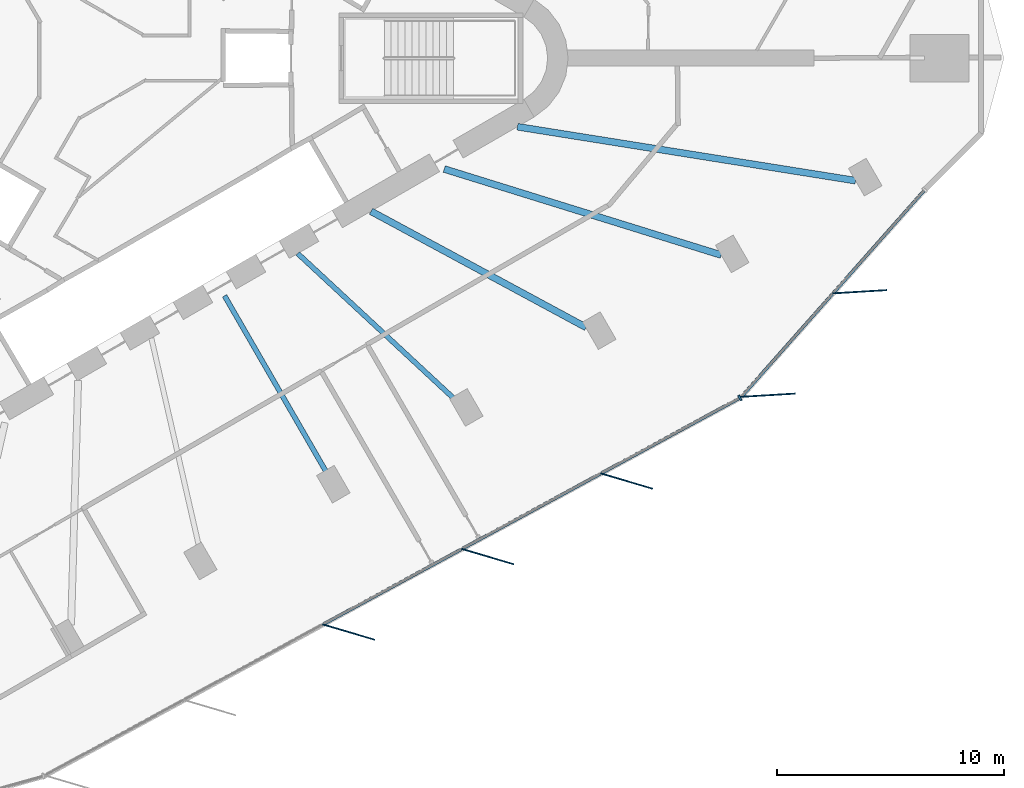
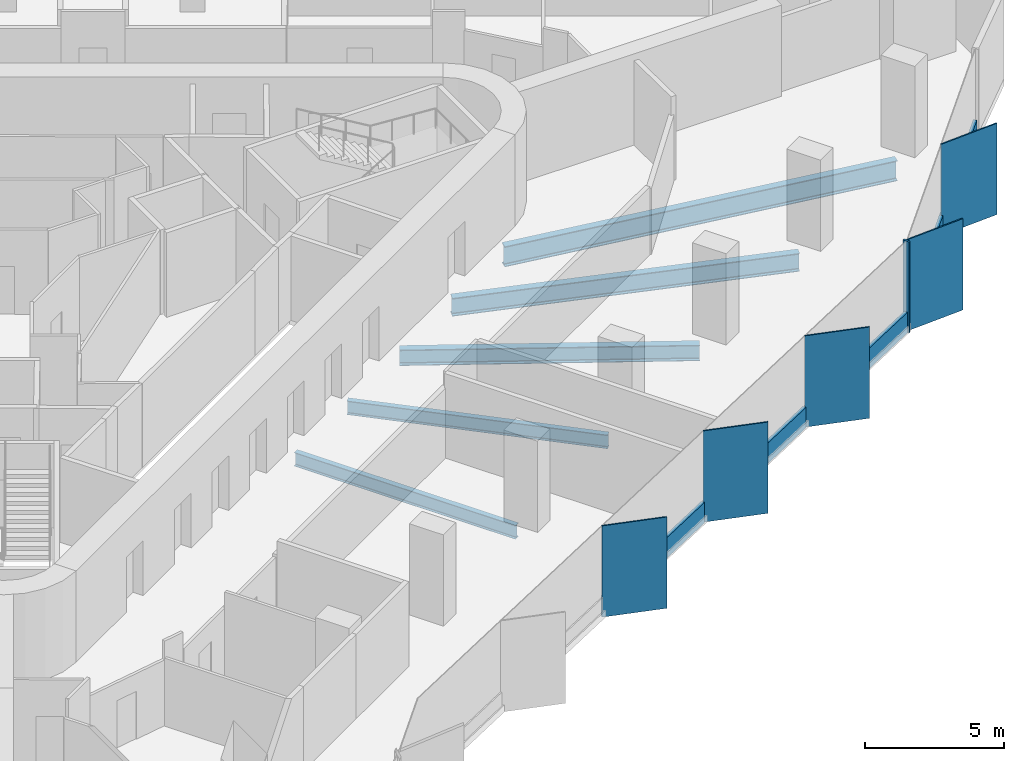
# One storey, part 3 of 14: 11 members, 5 beams, 2 elements without a shape of their own.
"""IFC4 building model written with IfcOpenShell, lengths in metres."""

from ifc_helpers import new_model, si_unit, direction, frame, origin, origin_2d, place, context, subcontext, project, spatial, rectangle, i_section, extrude, material, material_profile, profile_set, type_object, element, aggregate, save


model = new_model("IFC4")

# Units and contexts
model_context = context("Model", 3, precision=1e-05, world=origin(), true_north=direction((0.0, 1.0)))
body_context = subcontext(model_context, "Body", "Model", "MODEL_VIEW")
ifc_project = project(units=[si_unit("LENGTHUNIT", "METRE"), si_unit("AREAUNIT", "SQUARE_METRE"), si_unit("VOLUMEUNIT", "CUBIC_METRE"), si_unit("PLANEANGLEUNIT", "RADIAN"), si_unit("MASSUNIT", "GRAM", prefix="KILO")], contexts=[model_context])

# Site, building, storey
site_placement = place(None, origin())
site = spatial("IfcSite", under=ifc_project, at=site_placement, CompositionType="ELEMENT")
building_placement = place(site_placement, origin())
building = spatial("IfcBuilding", under=site, at=building_placement, Name="Tanit Gate Tower", CompositionType="ELEMENT")
storey_placement = place(building_placement, frame((0.0, 0.0, 241.199951171875)))
storey = spatial("IfcBuildingStorey", under=building, at=storey_placement, Name="L54", CompositionType="ELEMENT", Elevation=241.199951171875)

# Curtain wall, members
ifc_material_1 = material(Name="Aluminium bronze anodised and glass", Category="aluminium")
curtain_wall_type = type_object("IfcCurtainWallType", Name="Curtain wall typical mid", PredefinedType="NOTDEFINED", material=ifc_material_1)
curtain_wall_1_placement = place(storey_placement, origin())
curtain_wall_1 = element("IfcCurtainWall", 1, at=curtain_wall_1_placement, inside=storey, type_object=curtain_wall_type, Name="Curtain wall L54 SE2", PredefinedType="NOTDEFINED")
ifc_material_2 = material(Name="Aluminium bronze anodised", Category="aluminium")
ifc_material_profile_1 = material_profile(ifc_material_2, rectangle(XDim=2.39990234375, YDim=0.055908203125, at=origin_2d()), Name="56x2400 bronze fin mullion")
ifc_profile_set_1 = profile_set([ifc_material_profile_1], Name="Aluminium bronze anodised")
member_type_1 = type_object("IfcMemberType", Name="FIN MULLION 56x2400 bronze", PredefinedType="MULLION", material=ifc_profile_set_1)
member_1_placement = place(storey_placement, frame((11.52099609375, -25.304931640625, -0.300048828125), z_axis=(0.0, 0.0, 1.0), x_axis=(-0.958891574692, 0.28377270479, 0.0)))
member_1 = element("IfcMember", 2, at=member_1_placement, type_object=member_type_1, Name="Fin mullion L54 SE2.3", PredefinedType="MULLION", context=body_context, shape_type="SweptSolid", body=[
    extrude(rectangle(XDim=2.39990234375, YDim=0.055908203125, at=origin_2d()), origin(), (0.0, 0.0, 1.0), 4.0),
])
member_2_placement = place(storey_placement, frame((17.649169921875, -21.9755859375, -0.300048828125), z_axis=(0.0, 0.0, 1.0), x_axis=(-0.958891574692, 0.28377270479, 0.0)))
member_2 = element("IfcMember", 3, at=member_2_placement, type_object=member_type_1, Name="Fin mullion L54 SE2.4", PredefinedType="MULLION", context=body_context, shape_type="SweptSolid", body=[
    extrude(rectangle(XDim=2.39990234375, YDim=0.055908203125, at=origin_2d()), origin(), (0.0, 0.0, 1.0), 4.0),
])
member_3_placement = place(storey_placement, frame((23.77734375, -18.646240234375, -0.300048828125), z_axis=(0.0, 0.0, 1.0), x_axis=(-0.958891574692, 0.28377270479, 0.0)))
member_3 = element("IfcMember", 4, at=member_3_placement, type_object=member_type_1, Name="Fin mullion L54 SE2.5", PredefinedType="MULLION", context=body_context, shape_type="SweptSolid", body=[
    extrude(rectangle(XDim=2.39990234375, YDim=0.055908203125, at=origin_2d()), origin(), (0.0, 0.0, 1.0), 4.0),
])

curtain_wall_2_placement = place(storey_placement, origin())
curtain_wall_2 = element("IfcCurtainWall", 5, at=curtain_wall_2_placement, inside=storey, type_object=curtain_wall_type, Name="Curtain wall L54 SE3", PredefinedType="NOTDEFINED")
member_4_placement = place(storey_placement, frame((30.013427734375, -14.8623046875, -0.300048828125), z_axis=(0.0, 0.0, 1.0), x_axis=(-0.998180025714, -0.060304529394, 0.0)))
member_4 = element("IfcMember", 6, at=member_4_placement, type_object=member_type_1, Name="Fin mullion L54 SE3.1", PredefinedType="MULLION", context=body_context, shape_type="SweptSolid", body=[
    extrude(rectangle(XDim=2.39990234375, YDim=0.055908203125, at=origin_2d()), origin(), (0.0, 0.0, 1.0), 4.0),
])
member_5_placement = place(storey_placement, frame((34.05615234375, -10.299560546875, -0.300048828125), z_axis=(0.0, 0.0, 1.0), x_axis=(-0.998180025714, -0.060304529394, 0.0)))
member_5 = element("IfcMember", 7, at=member_5_placement, type_object=member_type_1, Name="Fin mullion L54 SE3.2", PredefinedType="MULLION", context=body_context, shape_type="SweptSolid", body=[
    extrude(rectangle(XDim=2.39990234375, YDim=0.055908203125, at=origin_2d()), origin(), (0.0, 0.0, 1.0), 4.0),
])

# Member
ifc_material_3 = material(Name="Aluminium bronze anodised", Category="aluminium")
ifc_material_profile_2 = material_profile(ifc_material_3, rectangle(XDim=0.260009765625, YDim=0.080078125, at=origin_2d()), Name="80x260 bronze mullion")
ifc_profile_set_2 = profile_set([ifc_material_profile_2], Name="Aluminium bronze anodised")
member_type_2 = type_object("IfcMemberType", Name="Mullion 80x260 typical mid", PredefinedType="MULLION", material=ifc_profile_set_2)
member_6_placement = place(storey_placement, frame((28.775146484375, -14.982421875, -0.300048828125), z_axis=(0.0, 0.0, 1.0), x_axis=(-0.477381131015, 0.87869633876, 0.0)))
member_6 = element("IfcMember", 8, at=member_6_placement, type_object=member_type_2, Name="Mullion L54 SE2.6", PredefinedType="MULLION", context=body_context, shape_type="SweptSolid", body=[
    extrude(rectangle(XDim=0.260009765625, YDim=0.080078125, at=origin_2d()), origin(), (0.0, 0.0, 1.0), 4.0),
])

# Beams
ifc_material_4 = material(Name="Steel S355", Category="steel")
ifc_material_profile_3 = material_profile(ifc_material_4, i_section(OverallWidth=0.300048828125, OverallDepth=0.68994140625, WebThickness=0.014404296875, FlangeThickness=0.027099609375, FilletRadius=0.027099609375, at=origin_2d()), Name="HEA 700")
ifc_profile_set_3 = profile_set([ifc_material_profile_3], Name="Steel S355")
beam_type_1 = type_object("IfcBeamType", Name="RADIAL GIRDER HEA 700 S355", PredefinedType="BEAM", material=ifc_profile_set_3)
beam_1_placement = place(storey_placement, frame((21.993896484375, -11.873046875, -0.64501953125), z_axis=(-0.879968075352, 0.475032826614, 0.0), x_axis=(-0.475032826614, -0.879968075352, 0.0)))
element("IfcBeam", 9, at=beam_1_placement, inside=storey, type_object=beam_type_1, Name="RADIAL GIRDER", PredefinedType="BEAM", context=body_context, shape_type="SweptSolid", body=[
    extrude(i_section(OverallWidth=0.300048828125, OverallDepth=0.68994140625, WebThickness=0.014404296875, FlangeThickness=0.027099609375, FilletRadius=0.027099609375, at=origin_2d()), origin(), (0.0, 0.0, 1.0), 10.779541015625),
])
ifc_material_5 = material(Name="Steel S355", Category="steel")
ifc_material_profile_4 = material_profile(ifc_material_5, i_section(OverallWidth=0.300048828125, OverallDepth=0.7900390625, WebThickness=0.014892578125, FlangeThickness=0.028076171875, FilletRadius=0.030029296875, at=origin_2d()), Name="HEA 800")
ifc_profile_set_4 = profile_set([ifc_material_profile_4], Name="Steel S355")
beam_type_2 = type_object("IfcBeamType", Name="RADIAL GIRDER HEA 800 S355", PredefinedType="BEAM", material=ifc_profile_set_4)
beam_2_placement = place(storey_placement, frame((27.947998046875, -8.681396484375, -0.695068359375), z_axis=(-0.954989554266, 0.296639429684, 0.0), x_axis=(-0.296639429684, -0.954989554266, 0.0)))
element("IfcBeam", 10, at=beam_2_placement, inside=storey, type_object=beam_type_2, Name="RADIAL GIRDER", PredefinedType="BEAM", context=body_context, shape_type="SweptSolid", body=[
    extrude(i_section(OverallWidth=0.300048828125, OverallDepth=0.7900390625, WebThickness=0.014892578125, FlangeThickness=0.028076171875, FilletRadius=0.030029296875, at=origin_2d()), origin(), (0.0, 0.0, 1.0), 12.786376953125),
])
ifc_material_6 = material(Name="Steel S355", Category="steel")
ifc_material_profile_5 = material_profile(ifc_material_6, i_section(OverallWidth=0.300048828125, OverallDepth=0.889892578125, WebThickness=0.01611328125, FlangeThickness=0.030029296875, FilletRadius=0.030029296875, at=origin_2d()), Name="HEA 900")
ifc_profile_set_5 = profile_set([ifc_material_profile_5], Name="Steel S355")
beam_type_3 = type_object("IfcBeamType", Name="RADIAL GIRDER HEA 900 S355", PredefinedType="BEAM", material=ifc_profile_set_5)
beam_3_placement = place(storey_placement, frame((33.872802734375, -5.4013671875, -0.744873046875), z_axis=(-0.987524864709, 0.157463143563, 0.0), x_axis=(-0.157463143563, -0.987524864709, 0.0)))
element("IfcBeam", 11, at=beam_3_placement, inside=storey, type_object=beam_type_3, Name="RADIAL GIRDER", PredefinedType="BEAM", context=body_context, shape_type="SweptSolid", body=[
    extrude(i_section(OverallWidth=0.300048828125, OverallDepth=0.889892578125, WebThickness=0.01611328125, FlangeThickness=0.030029296875, FilletRadius=0.030029296875, at=origin_2d()), origin(), (0.0, 0.0, 1.0), 15.09521484375),
])
ifc_material_7 = material(Name="Steel S355", Category="steel")
ifc_material_profile_6 = material_profile(ifc_material_7, i_section(OverallWidth=0.219970703125, OverallDepth=0.60009765625, WebThickness=0.011962890625, FlangeThickness=0.01904296875, FilletRadius=0.02392578125, at=origin_2d()), Name="IPE 600")
ifc_profile_set_6 = profile_set([ifc_material_profile_6], Name="Steel S355")
beam_type_4 = type_object("IfcBeamType", Name="RADIAL GIRDER IPE 600 S355", PredefinedType="BEAM", material=ifc_profile_set_6)
beam_4_placement = place(storey_placement, frame((10.6396484375, -18.428466796875, -0.599853515625), z_axis=(-0.499998789643, 0.866026102583, 0.0), x_axis=(-0.866026102583, -0.499998789643, 0.0)))
element("IfcBeam", 12, at=beam_4_placement, inside=storey, type_object=beam_type_4, Name="RADIAL GIRDER", PredefinedType="BEAM", context=body_context, shape_type="SweptSolid", body=[
    extrude(i_section(OverallWidth=0.219970703125, OverallDepth=0.60009765625, WebThickness=0.011962890625, FlangeThickness=0.01904296875, FilletRadius=0.02392578125, at=origin_2d()), origin(), (0.0, 0.0, 1.0), 9.17724609375),
])
beam_5_placement = place(storey_placement, frame((16.316650390625, -15.150634765625, -0.599853515625), z_axis=(-0.73280888542, 0.680434521059, 0.0), x_axis=(-0.680434521059, -0.73280888542, 0.0)))
element("IfcBeam", 13, at=beam_5_placement, inside=storey, type_object=beam_type_4, Name="RADIAL GIRDER", PredefinedType="BEAM", context=body_context, shape_type="SweptSolid", body=[
    extrude(i_section(OverallWidth=0.219970703125, OverallDepth=0.60009765625, WebThickness=0.011962890625, FlangeThickness=0.01904296875, FilletRadius=0.02392578125, at=origin_2d()), origin(), (0.0, 0.0, 1.0), 9.6025390625),
])

# Member
ifc_material_8 = material(Name="Aluminium bronze anodised", Category="aluminium")
ifc_material_profile_7 = material_profile(ifc_material_8, rectangle(XDim=0.139892578125, YDim=0.89990234375, at=origin_2d()), Name="140x900 bronze transom")
ifc_profile_set_7 = profile_set([ifc_material_profile_7], Name="Aluminium bronze anodised")
member_type_3 = type_object("IfcMemberType", Name="Transom 140x900 typical mid", PredefinedType="USERDEFINED", material=ifc_profile_set_7)
member_7_placement = place(storey_placement, frame((10.42578125, -24.951171875, 0.150146484375), z_axis=(0.878703630976, 0.47736770828, 0.0), x_axis=(-0.47736770828, 0.878703630976, 0.0)))
member_7 = element("IfcMember", 14, at=member_7_placement, type_object=member_type_3, Name="Transom L54 SE2.3", ObjectType="TRANSOM", PredefinedType="USERDEFINED", context=body_context, shape_type="SweptSolid", body=[
    extrude(rectangle(XDim=0.139892578125, YDim=0.89990234375, at=origin_2d()), origin(), (0.0, 0.0, 1.0), 6.89404296875),
])

member_8_placement = place(storey_placement, frame((16.553955078125, -21.621826171875, 0.150146484375), z_axis=(0.878703630976, 0.47736770828, 0.0), x_axis=(-0.47736770828, 0.878703630976, 0.0)))
member_8 = element("IfcMember", 15, at=member_8_placement, type_object=member_type_3, Name="Transom L54 SE2.4", ObjectType="TRANSOM", PredefinedType="USERDEFINED", context=body_context, shape_type="SweptSolid", body=[
    extrude(rectangle(XDim=0.139892578125, YDim=0.89990234375, at=origin_2d()), origin(), (0.0, 0.0, 1.0), 6.89404296875),
])

member_9_placement = place(storey_placement, frame((22.68212890625, -18.292724609375, 0.150146484375), z_axis=(0.878680705198, 0.477409905964, 0.0), x_axis=(-0.477409905964, 0.878680705198, 0.0)))
member_9 = element("IfcMember", 16, at=member_9_placement, type_object=member_type_3, Name="Transom L54 SE2.5", ObjectType="TRANSOM", PredefinedType="USERDEFINED", context=body_context, shape_type="SweptSolid", body=[
    extrude(rectangle(XDim=0.139892578125, YDim=0.89990234375, at=origin_2d()), origin(), (0.0, 0.0, 1.0), 6.89404296875),
])

aggregate(curtain_wall_1, [member_1, member_2, member_3, member_6, member_7, member_8, member_9])

member_10_placement = place(storey_placement, frame((28.86328125, -14.903564453125, 0.150146484375), z_axis=(0.66316908032, 0.748469619228, 0.0), x_axis=(-0.748469619228, 0.66316908032, 0.0)))
member_10 = element("IfcMember", 17, at=member_10_placement, type_object=member_type_3, Name="Transom L54 SE3.1", ObjectType="TRANSOM", PredefinedType="USERDEFINED", context=body_context, shape_type="SweptSolid", body=[
    extrude(rectangle(XDim=0.139892578125, YDim=0.89990234375, at=origin_2d()), origin(), (0.0, 0.0, 1.0), 6.01611328125),
])

member_11_placement = place(storey_placement, frame((32.906005859375, -10.3408203125, 0.150146484375), z_axis=(0.663171671034, 0.748467323761, 0.0), x_axis=(-0.748467323761, 0.663171671034, 0.0)))
member_11 = element("IfcMember", 18, at=member_11_placement, type_object=member_type_3, Name="Transom L54 SE3.2", ObjectType="TRANSOM", PredefinedType="USERDEFINED", context=body_context, shape_type="SweptSolid", body=[
    extrude(rectangle(XDim=0.139892578125, YDim=0.89990234375, at=origin_2d()), origin(), (0.0, 0.0, 1.0), 6.0166015625),
])

aggregate(curtain_wall_2, [member_4, member_5, member_10, member_11])

save(model, "model.ifc")
